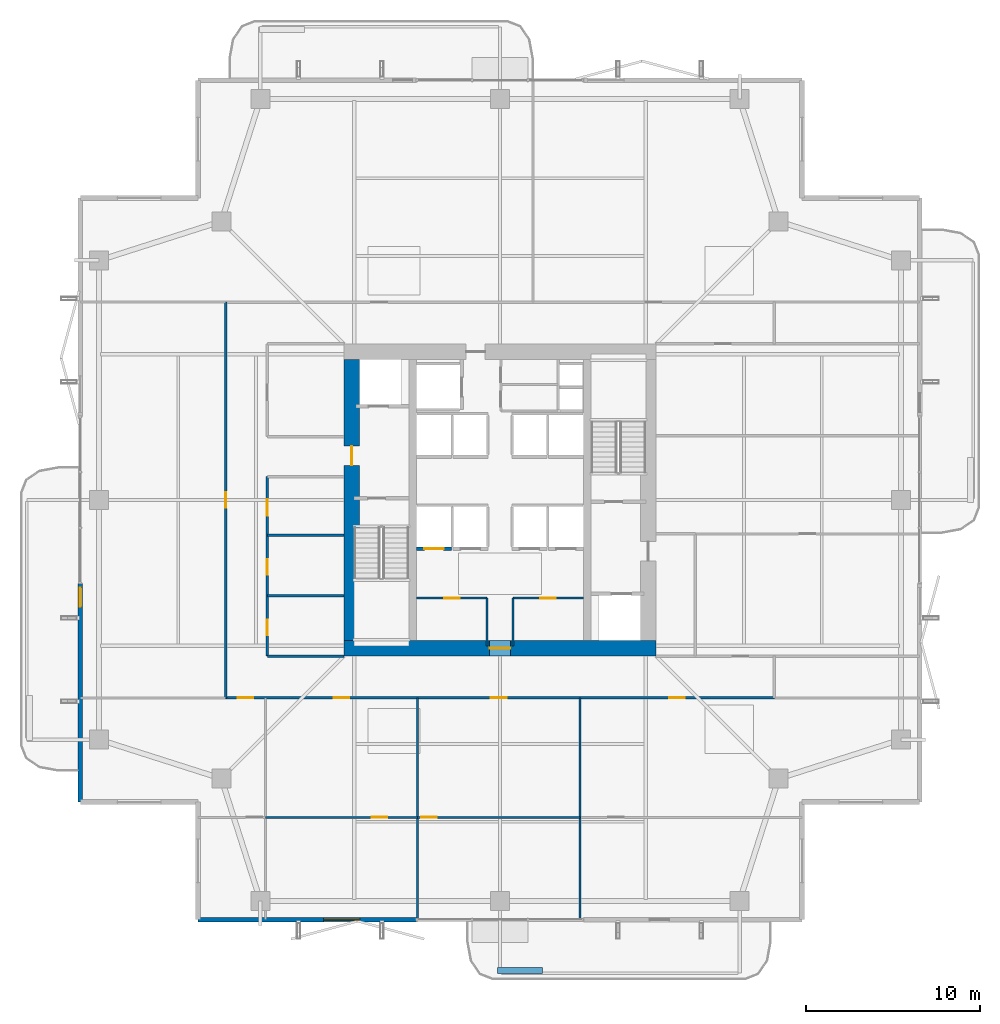
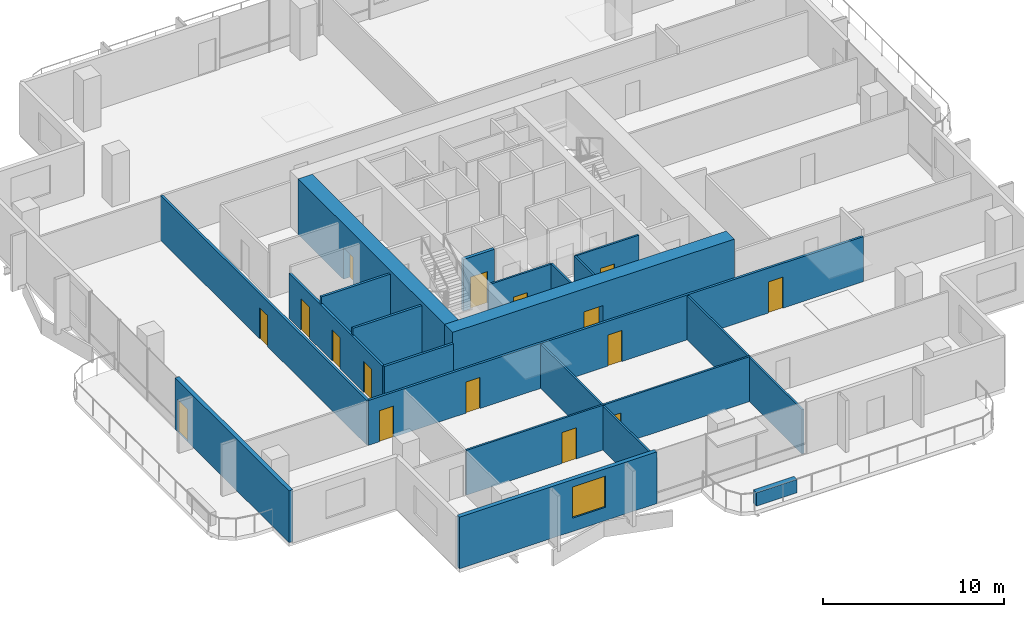
# One storey, part 18 of 25: 20 walls, 16 doors, 1 window, 17 openings.
"""IFC4 building model written with IfcOpenShell, lengths in metres."""

from ifc_helpers import new_model, si_unit, direction, frame, frame_2d, origin, place, context, subcontext, project, spatial, rectangle, extrude, material, layer, layer_set, type_object, element, fill, save


model = new_model("IFC4")

# Units and contexts
model_context = context("Model", 3, precision=1e-05, world=origin(), true_north=direction((0.0, 1.0)))
body_context = subcontext(model_context, "Body", "Model", "MODEL_VIEW")
ifc_project = project(units=[si_unit("LENGTHUNIT", "METRE"), si_unit("AREAUNIT", "SQUARE_METRE"), si_unit("VOLUMEUNIT", "CUBIC_METRE"), si_unit("PLANEANGLEUNIT", "RADIAN"), si_unit("MASSUNIT", "GRAM", prefix="KILO")], contexts=[model_context])

# Site, building, storey
site_placement = place(None, origin())
site = spatial("IfcSite", under=ifc_project, at=site_placement, CompositionType="ELEMENT")
building_placement = place(site_placement, origin())
building = spatial("IfcBuilding", under=site, at=building_placement, Name="Belovzor Exchange Tower", CompositionType="ELEMENT")
storey_placement = place(building_placement, frame((0.0, 0.0, 187.050048828125)))
storey = spatial("IfcBuildingStorey", under=building, at=storey_placement, Name="L46", CompositionType="ELEMENT", Elevation=187.050048828125)

# Wall, opening, door
ifc_material_1 = material(Name="Acoustic Plasterboard on Galvanised Studs", Category="gypsum")
ifc_layer_1 = layer(ifc_material_1, 0.1201171875)
ifc_layer_set_1 = layer_set([ifc_layer_1], Name="Acoustic Plasterboard on Galvanised Studs")
wall_type_1 = type_object("IfcWallType", Name="Acoustic Double-Stud Partition Wall 120", PredefinedType="PARTITIONING", material=ifc_layer_set_1)
wall_1_placement = place(storey_placement, frame((15.300048828125, 10.51708984375, 0.0), z_axis=(0.0, 0.0, 1.0), x_axis=(1.0, 0.0, 0.0)))
wall_1 = element("IfcWall", 1, at=wall_1_placement, inside=storey, type_object=wall_type_1, Name="W-P120 Partition Wall W-L46-SHDIV-1", PredefinedType="PARTITIONING", context=body_context, shape_type="SweptSolid", body=[
    extrude(rectangle(XDim=8.7529296875, YDim=0.1201171875, at=frame_2d((4.37646484375, 0.0))), origin(), (0.0, 0.0, 1.0), 3.030029296875),
])
opening_1_placement = place(wall_1_placement, frame((6.10009765625, 0.0, 0.0)))
opening_1 = element("IfcOpeningElement", 2, at=opening_1_placement, cuts=wall_1, Name="Opening D-INT-090", PredefinedType="OPENING", context=body_context, shape_type="SweptSolid", body=[
    extrude(rectangle(XDim=0.89990234375, YDim=2.10009765625, at=frame_2d((0.449951171875, 1.050048828125))), frame((0.0, 0.070068359375, 0.0), z_axis=(0.0, -1.0, 0.0), x_axis=(1.0, 0.0, 0.0)), (0.0, 0.0, 1.0), 0.14013671875),
])
ifc_material_2 = material(Name="Veneered Hardwood Acoustic Leaf", Category="wood")
door_type_1 = type_object("IfcDoorType", Name="Trading Suite Acoustic Single Door 900x2100", OperationType="NOTDEFINED", PredefinedType="DOOR", material=ifc_material_2)
door_1_placement = place(opening_1_placement, origin())
door_1 = element("IfcDoor", 3, at=door_1_placement, inside=storey, type_object=door_type_1, Name="D-INT-090 Trading Suite Acoustic Single Door 900x2100", OperationType="SINGLE_SWING_LEFT", OverallHeight=2.10009765625, OverallWidth=0.89990234375, PredefinedType="DOOR", context=body_context, shape_type="SweptSolid", body=[
    extrude(rectangle(XDim=0.89990234375, YDim=2.10009765625, at=frame_2d((0.449951171875, 1.050048828125))), frame((0.0, 0.02490234375, 0.0), z_axis=(0.0, -1.0, 0.0), x_axis=(1.0, 0.0, 0.0)), (0.0, 0.0, 1.0), 0.050048828125),
])
fill(opening_1, door_1)

# Wall
wall_2_placement = place(storey_placement, frame((24.052978515625, 4.6298828125, 0.0), z_axis=(0.0, 0.0, 1.0), x_axis=(0.0, 1.0, 0.0)))
element("IfcWall", 4, at=wall_2_placement, inside=storey, type_object=wall_type_1, Name="W-P120 Partition Wall W-L46-SDIV-2", PredefinedType="PARTITIONING", context=body_context, shape_type="SweptSolid", body=[
    extrude(rectangle(XDim=12.77001953125, YDim=0.1201171875, at=frame_2d((6.385009765625, 0.0))), origin(), (0.0, 0.0, 1.0), 2.97998046875),
])

# Wall, opening, door
wall_3_placement = place(storey_placement, frame((24.052978515625, 10.51708984375, 0.0), z_axis=(0.0, 0.0, 1.0), x_axis=(1.0, 0.0, 0.0)))
wall_3 = element("IfcWall", 5, at=wall_3_placement, inside=storey, type_object=wall_type_1, Name="W-P120 Partition Wall W-L46-SHDIV-2", PredefinedType="PARTITIONING", context=body_context, shape_type="SweptSolid", body=[
    extrude(rectangle(XDim=9.35107421875, YDim=0.1201171875, at=frame_2d((4.675537109375, 0.0))), origin(), (0.0, 0.0, 1.0), 3.030029296875),
])
opening_2_placement = place(wall_3_placement, frame((0.199951171875, 0.0, 0.0)))
opening_2 = element("IfcOpeningElement", 6, at=opening_2_placement, cuts=wall_3, Name="Opening D-INT-090", PredefinedType="OPENING", context=body_context, shape_type="SweptSolid", body=[
    extrude(rectangle(XDim=0.89990234375, YDim=2.10009765625, at=frame_2d((0.449951171875, 1.050048828125))), frame((0.0, 0.070068359375, 0.0), z_axis=(0.0, -1.0, 0.0), x_axis=(1.0, 0.0, 0.0)), (0.0, 0.0, 1.0), 0.14013671875),
])
door_2_placement = place(opening_2_placement, origin())
door_2 = element("IfcDoor", 7, at=door_2_placement, inside=storey, type_object=door_type_1, Name="D-INT-090 Trading Suite Acoustic Single Door 900x2100", OperationType="SINGLE_SWING_LEFT", OverallHeight=2.10009765625, OverallWidth=0.89990234375, PredefinedType="DOOR", context=body_context, shape_type="SweptSolid", body=[
    extrude(rectangle(XDim=0.89990234375, YDim=2.10009765625, at=frame_2d((0.449951171875, 1.050048828125))), frame((0.0, 0.02490234375, 0.0), z_axis=(0.0, -1.0, 0.0), x_axis=(1.0, 0.0, 0.0)), (0.0, 0.0, 1.0), 0.050048828125),
])
fill(opening_2, door_2)

# Wall
wall_4_placement = place(storey_placement, frame((33.404052734375, 4.6298828125, 0.0), z_axis=(0.0, 0.0, 1.0), x_axis=(0.0, 1.0, 0.0)))
element("IfcWall", 8, at=wall_4_placement, inside=storey, type_object=wall_type_1, Name="W-P120 Partition Wall W-L46-SDIV-3", PredefinedType="PARTITIONING", context=body_context, shape_type="SweptSolid", body=[
    extrude(rectangle(XDim=12.77001953125, YDim=0.1201171875, at=frame_2d((6.385009765625, 0.0))), origin(), (0.0, 0.0, 1.0), 2.97998046875),
])

# Wall, opening, door
ifc_material_3 = material(Name="Fire-Rated Plasterboard on Galvanised Studs", Category="gypsum")
ifc_layer_2 = layer(ifc_material_3, 0.1201171875)
ifc_layer_set_2 = layer_set([ifc_layer_2], Name="Fire-Rated Plasterboard on Galvanised Studs")
wall_type_2 = type_object("IfcWallType", Name="Fire-Rated Double-Stud Partition Wall 120", PredefinedType="PARTITIONING", material=ifc_layer_set_2)
wall_5_placement = place(storey_placement, frame((24.0, 23.14990234375, 0.0), z_axis=(0.0, 0.0, 1.0), x_axis=(1.0, 0.0, 0.0)))
wall_5 = element("IfcWall", 9, at=wall_5_placement, inside=storey, type_object=wall_type_2, Name="W-P120F Partition Wall W-CRL-L46-WN", PredefinedType="PARTITIONING", context=body_context, shape_type="SweptSolid", body=[
    extrude(rectangle(XDim=4.050048828125, YDim=0.1201171875, at=frame_2d((2.02490234375, 0.0))), origin(), (0.0, 0.0, 1.0), 3.494873046875),
])
opening_3_placement = place(wall_5_placement, frame((1.574951171875, 0.0, 0.0)))
opening_3 = element("IfcOpeningElement", 10, at=opening_3_placement, cuts=wall_5, Name="Opening D-FD60-090", PredefinedType="OPENING", context=body_context, shape_type="SweptSolid", body=[
    extrude(rectangle(XDim=0.89990234375, YDim=2.10009765625, at=frame_2d((0.449951171875, 1.050048828125))), frame((0.0, 0.070068359375, 0.0), z_axis=(0.0, -1.0, 0.0), x_axis=(1.0, 0.0, 0.0)), (0.0, 0.0, 1.0), 0.14013671875),
])
ifc_material_4 = material(Name="Acoustic Timber Fire Leaf", Category="wood")
door_type_2 = type_object("IfcDoorType", Name="Core Service & Restroom Fire Door 900x2100", OperationType="NOTDEFINED", PredefinedType="DOOR", material=ifc_material_4)
door_3_placement = place(opening_3_placement, origin())
door_3 = element("IfcDoor", 11, at=door_3_placement, inside=storey, type_object=door_type_2, Name="D-FD60-090 Core Service & Restroom Fire Door 900x2100", OperationType="SINGLE_SWING_LEFT", OverallHeight=2.10009765625, OverallWidth=0.89990234375, PredefinedType="DOOR", context=body_context, shape_type="SweptSolid", body=[
    extrude(rectangle(XDim=0.89990234375, YDim=2.10009765625, at=frame_2d((0.449951171875, 1.050048828125))), frame((0.0, 0.02490234375, 0.0), z_axis=(0.0, -1.0, 0.0), x_axis=(1.0, 0.0, 0.0)), (0.0, 0.0, 1.0), 0.050048828125),
])
fill(opening_3, door_3)

# Wall
wall_6_placement = place(storey_placement, frame((28.050048828125, 20.39990234375, 0.0), z_axis=(0.0, 0.0, 1.0), x_axis=(0.0, 1.0, 0.0)))
element("IfcWall", 12, at=wall_6_placement, inside=storey, type_object=wall_type_2, Name="W-P120F Partition Wall W-CRL-L46-WE", PredefinedType="PARTITIONING", context=body_context, shape_type="SweptSolid", body=[
    extrude(rectangle(XDim=2.75, YDim=0.1201171875, at=frame_2d((1.375, 0.0))), origin(), (0.0, 0.0, 1.0), 3.494873046875),
])

# Wall, opening, door
wall_7_placement = place(storey_placement, frame((29.550048828125, 23.14990234375, 0.0), z_axis=(0.0, 0.0, 1.0), x_axis=(1.0, 0.0, 0.0)))
wall_7 = element("IfcWall", 13, at=wall_7_placement, inside=storey, type_object=wall_type_2, Name="W-P120F Partition Wall W-CRL-L46-EN", PredefinedType="PARTITIONING", context=body_context, shape_type="SweptSolid", body=[
    extrude(rectangle(XDim=4.050048828125, YDim=0.1201171875, at=frame_2d((2.02490234375, 0.0))), origin(), (0.0, 0.0, 1.0), 3.494873046875),
])
opening_4_placement = place(wall_7_placement, frame((1.574951171875, 0.0, 0.0)))
opening_4 = element("IfcOpeningElement", 14, at=opening_4_placement, cuts=wall_7, Name="Opening D-FD60-090", PredefinedType="OPENING", context=body_context, shape_type="SweptSolid", body=[
    extrude(rectangle(XDim=0.89990234375, YDim=2.10009765625, at=frame_2d((0.449951171875, 1.050048828125))), frame((0.0, 0.070068359375, 0.0), z_axis=(0.0, -1.0, 0.0), x_axis=(1.0, 0.0, 0.0)), (0.0, 0.0, 1.0), 0.14013671875),
])
door_4_placement = place(opening_4_placement, origin())
door_4 = element("IfcDoor", 15, at=door_4_placement, inside=storey, type_object=door_type_2, Name="D-FD60-090 Core Service & Restroom Fire Door 900x2100", OperationType="SINGLE_SWING_RIGHT", OverallHeight=2.10009765625, OverallWidth=0.89990234375, PredefinedType="DOOR", context=body_context, shape_type="SweptSolid", body=[
    extrude(rectangle(XDim=0.89990234375, YDim=2.10009765625, at=frame_2d((0.449951171875, 1.050048828125))), frame((0.0, 0.02490234375, 0.0), z_axis=(0.0, -1.0, 0.0), x_axis=(1.0, 0.0, 0.0)), (0.0, 0.0, 1.0), 0.050048828125),
])
fill(opening_4, door_4)

# Walls
wall_8_placement = place(storey_placement, frame((29.550048828125, 20.39990234375, 0.0), z_axis=(0.0, 0.0, 1.0), x_axis=(0.0, 1.0, 0.0)))
element("IfcWall", 16, at=wall_8_placement, inside=storey, type_object=wall_type_2, Name="W-P120F Partition Wall W-CRL-L46-EW", PredefinedType="PARTITIONING", context=body_context, shape_type="SweptSolid", body=[
    extrude(rectangle(XDim=2.75, YDim=0.1201171875, at=frame_2d((1.375, 0.0))), origin(), (0.0, 0.0, 1.0), 3.494873046875),
])
ifc_material_5 = material(Name="Fire-Rated Gypsum Block and Mineral Wool", Category="gypsum")
ifc_layer_3 = layer(ifc_material_5, 0.14990234375)
ifc_layer_set_3 = layer_set([ifc_layer_3], Name="Fire-Rated Gypsum Block and Mineral Wool")
wall_type_3 = type_object("IfcWallType", Name="Fire-Rated Gypsum Block Corridor Wall 150", PredefinedType="PARTITIONING", material=ifc_layer_set_3)
wall_9_placement = place(storey_placement, frame((15.39990234375, 19.800048828125, 0.0), z_axis=(0.0, 0.0, 1.0), x_axis=(1.0, 0.0, 0.0)))
element("IfcWall", 17, at=wall_9_placement, inside=storey, type_object=wall_type_3, Name="W-P150 Partition Wall W-L46-WIC-S", PredefinedType="PARTITIONING", context=body_context, shape_type="SweptSolid", body=[
    extrude(rectangle(XDim=4.400146484375, YDim=0.14990234375, at=frame_2d((2.2001953125, 0.0))), origin(), (0.0, 0.0, 1.0), 3.030029296875),
])
for number, where, z_axis, x_axis, name in (
    (18, (15.39990234375, 23.27490234375, 0.0), (0.0, 0.0, 1.0), (1.0, 0.0, 0.0), "W-P150 Partition Wall W-L46-WIC-D1"),
    (19, (15.39990234375, 26.77490234375, 0.0), (0.0, 0.0, 1.0), (1.0, 0.0, 0.0), "W-P150 Partition Wall W-L46-WIC-D2"),
):
    element("IfcWall", number, at=place(storey_placement, frame(where, z_axis=z_axis, x_axis=x_axis)), inside=storey, type_object=wall_type_3, Name=name, PredefinedType="PARTITIONING", context=body_context, shape_type="SweptSolid", body=[
        extrude(rectangle(XDim=4.400146484375, YDim=0.14990234375, at=frame_2d((2.2001953125, 0.0))), origin(), (0.0, 0.0, 1.0), 3.494873046875),
    ])

# Wall, openings, doors
wall_10_placement = place(storey_placement, frame((15.39990234375, 19.800048828125, 0.0), z_axis=(0.0, 0.0, 1.0), x_axis=(0.0, 1.0, 0.0)))
wall_10 = element("IfcWall", 20, at=wall_10_placement, inside=storey, type_object=wall_type_3, Name="W-P150 Partition Wall W-L46-WIE-S", PredefinedType="PARTITIONING", context=body_context, shape_type="SweptSolid", body=[
    extrude(rectangle(XDim=10.349853515625, YDim=0.14990234375, at=frame_2d((5.1748046875, 0.0))), origin(), (0.0, 0.0, 1.0), 3.030029296875),
])
opening_5_placement = place(wall_10_placement, frame((1.199951171875, 0.0, 0.0)))
opening_5 = element("IfcOpeningElement", 21, at=opening_5_placement, cuts=wall_10, Name="Opening D-FD60-090", PredefinedType="OPENING", context=body_context, shape_type="SweptSolid", body=[
    extrude(rectangle(XDim=0.89990234375, YDim=2.10009765625, at=frame_2d((0.449951171875, 1.050048828125))), frame((0.0, 0.0849609375, 0.0), z_axis=(0.0, -1.0, 0.0), x_axis=(1.0, 0.0, 0.0)), (0.0, 0.0, 1.0), 0.169921875),
])
opening_6_placement = place(wall_10_placement, frame((4.699951171875, 0.0, 0.0)))
opening_6 = element("IfcOpeningElement", 22, at=opening_6_placement, cuts=wall_10, Name="Opening D-FD60-090", PredefinedType="OPENING", context=body_context, shape_type="SweptSolid", body=[
    extrude(rectangle(XDim=0.89990234375, YDim=2.10009765625, at=frame_2d((0.449951171875, 1.050048828125))), frame((0.0, 0.0849609375, 0.0), z_axis=(0.0, -1.0, 0.0), x_axis=(1.0, 0.0, 0.0)), (0.0, 0.0, 1.0), 0.169921875),
])
opening_7_placement = place(wall_10_placement, frame((8.10009765625, 0.0, 0.0)))
opening_7 = element("IfcOpeningElement", 23, at=opening_7_placement, cuts=wall_10, Name="Opening D-FD60-095", PredefinedType="OPENING", context=body_context, shape_type="SweptSolid", body=[
    extrude(rectangle(XDim=0.949951171875, YDim=2.10009765625, at=frame_2d((0.47509765625, 1.050048828125))), frame((0.0, 0.0849609375, 0.0), z_axis=(0.0, -1.0, 0.0), x_axis=(1.0, 0.0, 0.0)), (0.0, 0.0, 1.0), 0.169921875),
])
ifc_material_6 = material(Name="Moisture-Resistant Timber Fire Leaf", Category="wood")
door_type_3 = type_object("IfcDoorType", Name="Accessible Restroom Wide Fire Door 950x2100", OperationType="NOTDEFINED", PredefinedType="DOOR", material=ifc_material_6)
door_5_placement = place(opening_7_placement, origin())
door_5 = element("IfcDoor", 24, at=door_5_placement, inside=storey, type_object=door_type_3, Name="D-FD60-095 Accessible Restroom Wide Fire Door 950x2100", OperationType="SINGLE_SWING_LEFT", OverallHeight=2.10009765625, OverallWidth=0.949951171875, PredefinedType="DOOR", context=body_context, shape_type="SweptSolid", body=[
    extrude(rectangle(XDim=0.949951171875, YDim=2.10009765625, at=frame_2d((0.47509765625, 1.050048828125))), frame((0.0, 0.02490234375, 0.0), z_axis=(0.0, -1.0, 0.0), x_axis=(1.0, 0.0, 0.0)), (0.0, 0.0, 1.0), 0.050048828125),
])
fill(opening_7, door_5)
door_6_placement = place(opening_5_placement, origin())
door_6 = element("IfcDoor", 25, at=door_6_placement, inside=storey, type_object=door_type_2, Name="D-FD60-090 Core Service & Restroom Fire Door 900x2100", OperationType="SINGLE_SWING_LEFT", OverallHeight=2.10009765625, OverallWidth=0.89990234375, PredefinedType="DOOR", context=body_context, shape_type="SweptSolid", body=[
    extrude(rectangle(XDim=0.89990234375, YDim=2.10009765625, at=frame_2d((0.449951171875, 1.050048828125))), frame((0.0, 0.02490234375, 0.0), z_axis=(0.0, -1.0, 0.0), x_axis=(1.0, 0.0, 0.0)), (0.0, 0.0, 1.0), 0.050048828125),
])
fill(opening_5, door_6)
door_7_placement = place(opening_6_placement, origin())
door_7 = element("IfcDoor", 26, at=door_7_placement, inside=storey, type_object=door_type_2, Name="D-FD60-090 Core Service & Restroom Fire Door 900x2100", OperationType="SINGLE_SWING_RIGHT", OverallHeight=2.10009765625, OverallWidth=0.89990234375, PredefinedType="DOOR", context=body_context, shape_type="SweptSolid", body=[
    extrude(rectangle(XDim=0.89990234375, YDim=2.10009765625, at=frame_2d((0.449951171875, 1.050048828125))), frame((0.0, 0.02490234375, 0.0), z_axis=(0.0, -1.0, 0.0), x_axis=(1.0, 0.0, 0.0)), (0.0, 0.0, 1.0), 0.050048828125),
])
fill(opening_6, door_7)

wall_11_placement = place(storey_placement, frame((13.0, 17.39990234375, 0.0), z_axis=(0.0, 0.0, 1.0), x_axis=(1.0, 0.0, 0.0)))
wall_11 = element("IfcWall", 27, at=wall_11_placement, inside=storey, type_object=wall_type_3, Name="W-P150 Partition Wall W-L46-CS", PredefinedType="PARTITIONING", context=body_context, shape_type="SweptSolid", body=[
    extrude(rectangle(XDim=31.60009765625, YDim=0.14990234375, at=frame_2d((15.800048828125, 0.0))), origin(), (0.0, 0.0, 1.0), 3.030029296875),
])
opening_8_placement = place(wall_11_placement, frame((0.699951171875, 0.0, 0.0)))
opening_8 = element("IfcOpeningElement", 28, at=opening_8_placement, cuts=wall_11, Name="Opening D-INT-090", PredefinedType="OPENING", context=body_context, shape_type="SweptSolid", body=[
    extrude(rectangle(XDim=0.89990234375, YDim=2.10009765625, at=frame_2d((0.449951171875, 1.050048828125))), frame((0.0, 0.0849609375, 0.0), z_axis=(0.0, -1.0, 0.0), x_axis=(1.0, 0.0, 0.0)), (0.0, 0.0, 1.0), 0.169921875),
])
opening_9_placement = place(wall_11_placement, frame((6.22705078125, 0.0, 0.0)))
opening_9 = element("IfcOpeningElement", 29, at=opening_9_placement, cuts=wall_11, Name="Opening D-INT-090", PredefinedType="OPENING", context=body_context, shape_type="SweptSolid", body=[
    extrude(rectangle(XDim=0.89990234375, YDim=2.10009765625, at=frame_2d((0.449951171875, 1.050048828125))), frame((0.0, 0.0849609375, 0.0), z_axis=(0.0, -1.0, 0.0), x_axis=(1.0, 0.0, 0.0)), (0.0, 0.0, 1.0), 0.169921875),
])
opening_10_placement = place(wall_11_placement, frame((15.279052734375, 0.0, 0.0)))
opening_10 = element("IfcOpeningElement", 30, at=opening_10_placement, cuts=wall_11, Name="Opening D-INT-090", PredefinedType="OPENING", context=body_context, shape_type="SweptSolid", body=[
    extrude(rectangle(XDim=0.89990234375, YDim=2.10009765625, at=frame_2d((0.449951171875, 1.050048828125))), frame((0.0, 0.0849609375, 0.0), z_axis=(0.0, -1.0, 0.0), x_axis=(1.0, 0.0, 0.0)), (0.0, 0.0, 1.0), 0.169921875),
])
opening_11_placement = place(wall_11_placement, frame((25.552001953125, 0.0, 0.0)))
opening_11 = element("IfcOpeningElement", 31, at=opening_11_placement, cuts=wall_11, Name="Opening D-INT-090", PredefinedType="OPENING", context=body_context, shape_type="SweptSolid", body=[
    extrude(rectangle(XDim=0.89990234375, YDim=2.10009765625, at=frame_2d((0.449951171875, 1.050048828125))), frame((0.0, 0.0849609375, 0.0), z_axis=(0.0, -1.0, 0.0), x_axis=(1.0, 0.0, 0.0)), (0.0, 0.0, 1.0), 0.169921875),
])
door_8_placement = place(opening_8_placement, origin())
door_8 = element("IfcDoor", 32, at=door_8_placement, inside=storey, type_object=door_type_1, Name="D-INT-090 Trading Suite Acoustic Single Door 900x2100", OperationType="SINGLE_SWING_RIGHT", OverallHeight=2.10009765625, OverallWidth=0.89990234375, PredefinedType="DOOR", context=body_context, shape_type="SweptSolid", body=[
    extrude(rectangle(XDim=0.89990234375, YDim=2.10009765625, at=frame_2d((0.449951171875, 1.050048828125))), frame((0.0, 0.02490234375, 0.0), z_axis=(0.0, -1.0, 0.0), x_axis=(1.0, 0.0, 0.0)), (0.0, 0.0, 1.0), 0.050048828125),
])
fill(opening_8, door_8)
door_9_placement = place(opening_9_placement, origin())
door_9 = element("IfcDoor", 33, at=door_9_placement, inside=storey, type_object=door_type_1, Name="D-INT-090 Trading Suite Acoustic Single Door 900x2100", OperationType="SINGLE_SWING_LEFT", OverallHeight=2.10009765625, OverallWidth=0.89990234375, PredefinedType="DOOR", context=body_context, shape_type="SweptSolid", body=[
    extrude(rectangle(XDim=0.89990234375, YDim=2.10009765625, at=frame_2d((0.449951171875, 1.050048828125))), frame((0.0, 0.02490234375, 0.0), z_axis=(0.0, -1.0, 0.0), x_axis=(1.0, 0.0, 0.0)), (0.0, 0.0, 1.0), 0.050048828125),
])
fill(opening_9, door_9)
door_10_placement = place(opening_10_placement, origin())
door_10 = element("IfcDoor", 34, at=door_10_placement, inside=storey, type_object=door_type_1, Name="D-INT-090 Trading Suite Acoustic Single Door 900x2100", OperationType="SINGLE_SWING_RIGHT", OverallHeight=2.10009765625, OverallWidth=0.89990234375, PredefinedType="DOOR", context=body_context, shape_type="SweptSolid", body=[
    extrude(rectangle(XDim=0.89990234375, YDim=2.10009765625, at=frame_2d((0.449951171875, 1.050048828125))), frame((0.0, 0.02490234375, 0.0), z_axis=(0.0, -1.0, 0.0), x_axis=(1.0, 0.0, 0.0)), (0.0, 0.0, 1.0), 0.050048828125),
])
fill(opening_10, door_10)
door_11_placement = place(opening_11_placement, origin())
door_11 = element("IfcDoor", 35, at=door_11_placement, inside=storey, type_object=door_type_1, Name="D-INT-090 Trading Suite Acoustic Single Door 900x2100", OperationType="SINGLE_SWING_LEFT", OverallHeight=2.10009765625, OverallWidth=0.89990234375, PredefinedType="DOOR", context=body_context, shape_type="SweptSolid", body=[
    extrude(rectangle(XDim=0.89990234375, YDim=2.10009765625, at=frame_2d((0.449951171875, 1.050048828125))), frame((0.0, 0.02490234375, 0.0), z_axis=(0.0, -1.0, 0.0), x_axis=(1.0, 0.0, 0.0)), (0.0, 0.0, 1.0), 0.050048828125),
])
fill(opening_11, door_11)

# Wall, opening, door
wall_12_placement = place(storey_placement, frame((13.0, 17.39990234375, 0.0), z_axis=(0.0, 0.0, 1.0), x_axis=(0.0, 1.0, 0.0)))
wall_12 = element("IfcWall", 36, at=wall_12_placement, inside=storey, type_object=wall_type_3, Name="W-P150 Partition Wall W-L46-CWO", PredefinedType="PARTITIONING", context=body_context, shape_type="SweptSolid", body=[
    extrude(rectangle(XDim=22.800048828125, YDim=0.14990234375, at=frame_2d((11.39990234375, 0.0))), origin(), (0.0, 0.0, 1.0), 3.030029296875),
])
opening_12_placement = place(wall_12_placement, frame((10.949951171875, 0.0, 0.0)))
opening_12 = element("IfcOpeningElement", 37, at=opening_12_placement, cuts=wall_12, Name="Opening D-INT-090", PredefinedType="OPENING", context=body_context, shape_type="SweptSolid", body=[
    extrude(rectangle(XDim=0.89990234375, YDim=2.10009765625, at=frame_2d((0.449951171875, 1.050048828125))), frame((0.0, 0.0849609375, 0.0), z_axis=(0.0, -1.0, 0.0), x_axis=(1.0, 0.0, 0.0)), (0.0, 0.0, 1.0), 0.169921875),
])
door_12_placement = place(opening_12_placement, origin())
door_12 = element("IfcDoor", 38, at=door_12_placement, inside=storey, type_object=door_type_1, Name="D-INT-090 Trading Suite Acoustic Single Door 900x2100", OperationType="SINGLE_SWING_LEFT", OverallHeight=2.10009765625, OverallWidth=0.89990234375, PredefinedType="DOOR", context=body_context, shape_type="SweptSolid", body=[
    extrude(rectangle(XDim=0.89990234375, YDim=2.10009765625, at=frame_2d((0.449951171875, 1.050048828125))), frame((0.0, 0.02490234375, 0.0), z_axis=(0.0, -1.0, 0.0), x_axis=(1.0, 0.0, 0.0)), (0.0, 0.0, 1.0), 0.050048828125),
])
fill(opening_12, door_12)

# Wall, opening, window
ifc_material_7 = material(Name="Precast concrete C40/50", Category="concrete")
ifc_layer_4 = layer(ifc_material_7, 0.260009765625)
ifc_layer_set_4 = layer_set([ifc_layer_4], Name="Precast concrete C40/50")
wall_type_4 = type_object("IfcWallType", Name="Precast Concrete Perimeter Loggia Frame Wall 260", PredefinedType="SOLIDWALL", material=ifc_layer_set_4)
wall_13_placement = place(storey_placement, frame((24.0, 4.6298828125, 0.0), z_axis=(0.0, 0.0, 1.0), x_axis=(-1.0, 0.0, 0.0)))
wall_13 = element("IfcWall", 39, at=wall_13_placement, inside=storey, type_object=wall_type_4, Name="W-EXT260 Precast Concrete Perimeter Loggia Frame Wall 260 L46", PredefinedType="SOLIDWALL", context=body_context, shape_type="SweptSolid", body=[
    extrude(rectangle(XDim=12.60009765625, YDim=0.260009765625, at=frame_2d((6.300048828125, 0.0))), origin(), (0.0, 0.0, 1.0), 3.494873046875),
])
opening_13_placement = place(wall_13_placement, frame((3.26611328125, 0.0, 0.89990234375)))
opening_13 = element("IfcOpeningElement", 40, at=opening_13_placement, cuts=wall_13, Name="Opening WN-LOG210", PredefinedType="OPENING", context=body_context, shape_type="SweptSolid", body=[
    extrude(rectangle(XDim=2.10009765625, YDim=2.10009765625, at=frame_2d((1.050048828125, 1.050048828125))), frame((0.0, 0.139892578125, 0.0), z_axis=(0.0, -1.0, 0.0), x_axis=(1.0, 0.0, 0.0)), (0.0, 0.0, 1.0), 0.280029296875),
])
ifc_material_8 = material(Name="Thermally Broken Aluminium and Triple Glazing", Category="aluminium")
window_type = type_object("IfcWindowType", Name="Triple-Glazed Loggia Ribbon Window 2100x2100", PartitioningType="SINGLE_PANEL", PredefinedType="WINDOW", material=ifc_material_8)
window_placement = place(opening_13_placement, origin())
window = element("IfcWindow", 41, at=window_placement, inside=storey, type_object=window_type, Name="WN-LOG210 Triple-Glazed Loggia Ribbon Window 2100x2100", OverallHeight=2.10009765625, OverallWidth=2.10009765625, PartitioningType="SINGLE_PANEL", PredefinedType="WINDOW", context=body_context, shape_type="SweptSolid", body=[
    extrude(rectangle(XDim=2.10009765625, YDim=2.10009765625, at=frame_2d((1.050048828125, 1.050048828125))), frame((0.0, 0.030029296875, 0.0), z_axis=(0.0, -1.0, 0.0), x_axis=(1.0, 0.0, 0.0)), (0.0, 0.0, 1.0), 0.06005859375),
])
fill(opening_13, window)

# Wall, opening, door
wall_14_placement = place(storey_placement, frame((4.6298828125, 11.39990234375, 0.0), z_axis=(0.0, 0.0, 1.0), x_axis=(0.0, 1.0, 0.0)))
wall_14 = element("IfcWall", 42, at=wall_14_placement, inside=storey, type_object=wall_type_4, Name="W-EXT260 Precast Concrete Perimeter Loggia Frame Wall 260 L46", PredefinedType="SOLIDWALL", context=body_context, shape_type="SweptSolid", body=[
    extrude(rectangle(XDim=12.60009765625, YDim=0.260009765625, at=frame_2d((6.300048828125, 0.0))), origin(), (0.0, 0.0, 1.0), 3.494873046875),
])
opening_14_placement = place(wall_14_placement, frame((11.25, 0.0, 0.0)))
opening_14 = element("IfcOpeningElement", 43, at=opening_14_placement, cuts=wall_14, Name="Opening D-BAL110", PredefinedType="OPENING", context=body_context, shape_type="SweptSolid", body=[
    extrude(rectangle(XDim=1.10009765625, YDim=2.199951171875, at=frame_2d((0.550048828125, 1.10009765625))), frame((0.0, 0.139892578125, 0.0), z_axis=(0.0, -1.0, 0.0), x_axis=(1.0, 0.0, 0.0)), (0.0, 0.0, 1.0), 0.280029296875),
])
ifc_material_9 = material(Name="Thermally Broken Anodised Aluminium and Laminated Glass", Category="aluminium")
door_type_4 = type_object("IfcDoorType", Name="Planted Loggia Terrace Glazed Door 1100x2200", OperationType="SINGLE_SWING_LEFT", PredefinedType="DOOR", material=ifc_material_9)
door_13_placement = place(opening_14_placement, origin())
door_13 = element("IfcDoor", 44, at=door_13_placement, inside=storey, type_object=door_type_4, Name="D-BAL110 Balcony Terrace Door L46 W", OperationType="SINGLE_SWING_RIGHT", OverallHeight=2.199951171875, OverallWidth=1.10009765625, PredefinedType="DOOR", context=body_context, shape_type="SweptSolid", body=[
    extrude(rectangle(XDim=1.10009765625, YDim=2.199951171875, at=frame_2d((0.550048828125, 1.10009765625))), frame((0.0, 0.02490234375, 0.0), z_axis=(0.0, -1.0, 0.0), x_axis=(1.0, 0.0, 0.0)), (0.0, 0.0, 1.0), 0.050048828125),
])
fill(opening_14, door_13)

# Wall
ifc_material_10 = material(Name="Precast concrete C40/50", Category="concrete")
ifc_layer_5 = layer(ifc_material_10, 0.35009765625)
ifc_layer_set_5 = layer_set([ifc_layer_5], Name="Precast concrete C40/50")
wall_type_5 = type_object("IfcWallType", Name="Precast Concrete Structural Tree Planter Trough 350", PredefinedType="PARAPET", material=ifc_layer_set_5)
wall_15_placement = place(storey_placement, frame((28.64990234375, 1.699951171875, 0.0), z_axis=(0.0, 0.0, 1.0), x_axis=(1.0, 0.0, 0.0)))
element("IfcWall", 45, at=wall_15_placement, inside=storey, type_object=wall_type_5, Name="PT-350 Precast Concrete Structural Tree Planter Trough 350 L46", PredefinedType="PARAPET", context=body_context, shape_type="SweptSolid", body=[
    extrude(rectangle(XDim=2.60009765625, YDim=0.35009765625, at=frame_2d((1.300048828125, 0.0))), origin(), (0.0, 0.0, 1.0), 0.89990234375),
])

# Wall, opening, door
ifc_material_11 = material(Name="Concrete C50/60", Category="concrete")
ifc_layer_6 = layer(ifc_material_11, 0.199951171875)
ifc_layer_set_6 = layer_set([ifc_layer_6], Name="Concrete C50/60")
wall_type_6 = type_object("IfcWallType", Name="Reinforced Concrete Core Shaft Shear Wall 200", PredefinedType="SHEAR", material=ifc_layer_set_6)
wall_16_placement = place(storey_placement, frame((24.0, 26.0, 0.0), z_axis=(0.0, 0.0, 1.0), x_axis=(1.0, 0.0, 0.0)))
wall_16 = element("IfcWall", 46, at=wall_16_placement, inside=storey, type_object=wall_type_6, Name="W-C200S Core Shaft Wall W-SH-L46-PL-M1", PredefinedType="SHEAR", context=body_context, shape_type="SweptSolid", body=[
    extrude(rectangle(XDim=2.0, YDim=0.199951171875, at=frame_2d((1.0, 0.0))), origin(), (0.0, 0.0, 1.0), 3.494873046875),
])
opening_15_placement = place(wall_16_placement, frame((0.449951171875, 0.0, 0.0)))
opening_15 = element("IfcOpeningElement", 47, at=opening_15_placement, cuts=wall_16, Name="Opening LD-110", PredefinedType="OPENING", context=body_context, shape_type="SweptSolid", body=[
    extrude(rectangle(XDim=1.10009765625, YDim=2.14990234375, at=frame_2d((0.550048828125, 1.074951171875))), frame((0.0, 0.10986328125, 0.0), z_axis=(0.0, -1.0, 0.0), x_axis=(1.0, 0.0, 0.0)), (0.0, 0.0, 1.0), 0.219970703125),
])
ifc_material_12 = material(Name="Stainless Steel Grade 304", Category="steel")
door_type_5 = type_object("IfcDoorType", Name="Automated Stainless Steel Lift Landing Door 1100x2150", OperationType="SLIDING_TO_RIGHT", PredefinedType="DOOR", material=ifc_material_12)
door_14_placement = place(opening_15_placement, origin())
door_14 = element("IfcDoor", 48, at=door_14_placement, inside=storey, type_object=door_type_5, Name="LD-110 Automated Stainless Steel Lift Landing Door 1100x2150", OperationType="SLIDING_TO_RIGHT", OverallHeight=2.14990234375, OverallWidth=1.10009765625, PredefinedType="DOOR", context=body_context, shape_type="SweptSolid", body=[
    extrude(rectangle(XDim=1.10009765625, YDim=2.14990234375, at=frame_2d((0.550048828125, 1.074951171875))), frame((0.0, 0.02490234375, 0.0), z_axis=(0.0, -1.0, 0.0), x_axis=(1.0, 0.0, 0.0)), (0.0, 0.0, 1.0), 0.050048828125),
])
fill(opening_15, door_14)

ifc_material_13 = material(Name="Concrete C60/75", Category="concrete")
ifc_layer_7 = layer(ifc_material_13, 0.89990234375)
ifc_layer_set_7 = layer_set([ifc_layer_7], Name="Concrete C60/75")
wall_type_7 = type_object("IfcWallType", Name="Reinforced Concrete Core Shear Wall 900", PredefinedType="SHEAR", material=ifc_layer_set_7)
wall_17_placement = place(storey_placement, frame((19.800048828125, 20.25, 0.0), z_axis=(0.0, 0.0, 1.0), x_axis=(1.0, 0.0, 0.0)))
wall_17 = element("IfcWall", 49, at=wall_17_placement, inside=storey, type_object=wall_type_7, Name="CW-S090 Core Shear Wall L46 S", PredefinedType="SHEAR", context=body_context, shape_type="SweptSolid", body=[
    extrude(rectangle(XDim=18.0, YDim=0.89990234375, at=frame_2d((9.0, 0.0))), origin(), (0.0, 0.0, 1.0), 3.75),
])
opening_16_placement = place(wall_17_placement, frame((8.39990234375, 0.0, 0.0)))
opening_16 = element("IfcOpeningElement", 50, at=opening_16_placement, cuts=wall_17, Name="Opening D-FD90-120", PredefinedType="OPENING", context=body_context, shape_type="SweptSolid", body=[
    extrude(rectangle(XDim=1.199951171875, YDim=2.199951171875, at=frame_2d((0.60009765625, 1.10009765625))), frame((0.0, 0.4599609375, 0.0), z_axis=(0.0, -1.0, 0.0), x_axis=(1.0, 0.0, 0.0)), (0.0, 0.0, 1.0), 0.919921875),
])
ifc_material_14 = material(Name="Fire-Rated Galvanised Steel Leaf", Category="steel")
door_type_6 = type_object("IfcDoorType", Name="Heavy Plant & Foyer Fire Door 1200x2200", OperationType="NOTDEFINED", PredefinedType="DOOR", material=ifc_material_14)
door_15_placement = place(opening_16_placement, origin())
door_15 = element("IfcDoor", 51, at=door_15_placement, inside=storey, type_object=door_type_6, Name="D-FD90-120 Heavy Plant & Foyer Fire Door 1200x2200", OperationType="SINGLE_SWING_LEFT", OverallHeight=2.199951171875, OverallWidth=1.199951171875, PredefinedType="DOOR", context=body_context, shape_type="SweptSolid", body=[
    extrude(rectangle(XDim=1.199951171875, YDim=2.199951171875, at=frame_2d((0.60009765625, 1.10009765625))), frame((0.0, 0.02490234375, 0.0), z_axis=(0.0, -1.0, 0.0), x_axis=(1.0, 0.0, 0.0)), (0.0, 0.0, 1.0), 0.050048828125),
])
fill(opening_16, door_15)

wall_18_placement = place(storey_placement, frame((20.25, 20.699951171875, 0.0), z_axis=(0.0, 0.0, 1.0), x_axis=(0.0, 1.0, 0.0)))
wall_18 = element("IfcWall", 52, at=wall_18_placement, inside=storey, type_object=wall_type_7, Name="CW-S090 Core Shear Wall L46 W", PredefinedType="SHEAR", context=body_context, shape_type="SweptSolid", body=[
    extrude(rectangle(XDim=16.199951171875, YDim=0.89990234375, at=frame_2d((8.10009765625, 0.0))), origin(), (0.0, 0.0, 1.0), 3.75),
])
opening_17_placement = place(wall_18_placement, frame((10.10009765625, 0.0, 0.0)))
opening_17 = element("IfcOpeningElement", 53, at=opening_17_placement, cuts=wall_18, Name="Opening D-FD90-110", PredefinedType="OPENING", context=body_context, shape_type="SweptSolid", body=[
    extrude(rectangle(XDim=1.10009765625, YDim=2.14990234375, at=frame_2d((0.550048828125, 1.074951171875))), frame((0.0, 0.4599609375, 0.0), z_axis=(0.0, -1.0, 0.0), x_axis=(1.0, 0.0, 0.0)), (0.0, 0.0, 1.0), 0.919921875),
])
ifc_material_15 = material(Name="Fire-Rated Galvanised Steel Leaf", Category="steel")
door_type_7 = type_object("IfcDoorType", Name="Protected Escape Vestibule Fire Door 1100x2150", OperationType="NOTDEFINED", PredefinedType="DOOR", material=ifc_material_15)
door_16_placement = place(opening_17_placement, origin())
door_16 = element("IfcDoor", 54, at=door_16_placement, inside=storey, type_object=door_type_7, Name="D-FD90-110 Protected Escape Vestibule Fire Door 1100x2150", OperationType="SINGLE_SWING_LEFT", OverallHeight=2.14990234375, OverallWidth=1.10009765625, PredefinedType="DOOR", context=body_context, shape_type="SweptSolid", body=[
    extrude(rectangle(XDim=1.10009765625, YDim=2.14990234375, at=frame_2d((0.550048828125, 1.074951171875))), frame((0.0, 0.02490234375, 0.0), z_axis=(0.0, -1.0, 0.0), x_axis=(1.0, 0.0, 0.0)), (0.0, 0.0, 1.0), 0.050048828125),
])
fill(opening_17, door_16)

save(model, "model.ifc")
